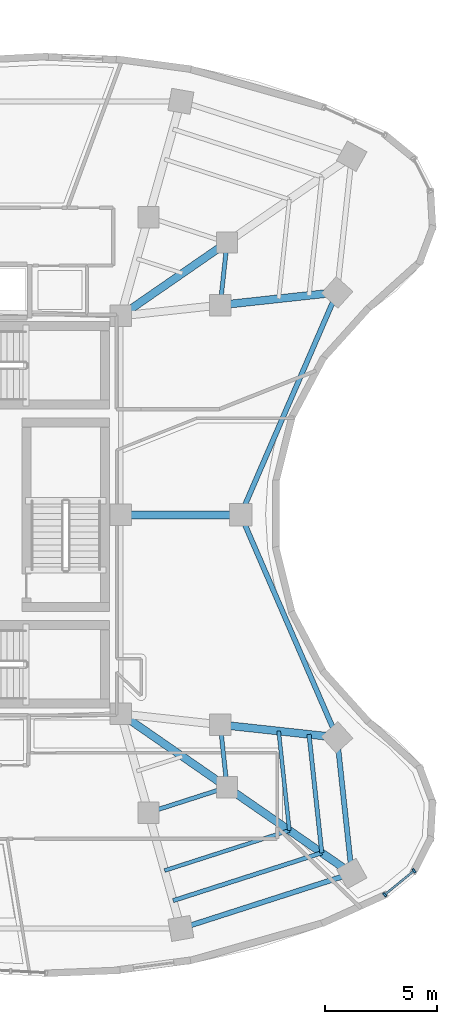
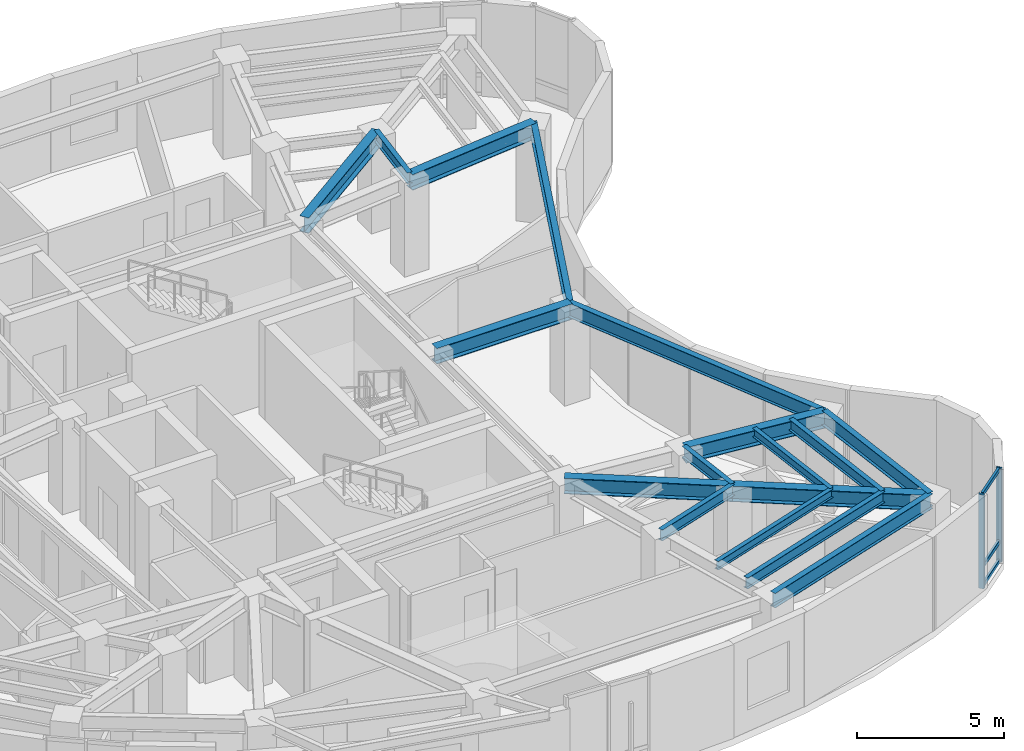
# One storey, part 4 of 13: 17 beams, 5 members, 1 element without a shape of its own.
"""IFC4 building model written with IfcOpenShell, lengths in metres."""

import ifcopenshell
import ifcopenshell.guid

model = None  # the IFC model being written
_history = None  # IfcOwnerHistory: only IFC2X3 demands one
_inside = {}  # id of a spatial element -> (the spatial element, [elements in it])
_under = {}  # id of a project, library or spatial element -> (it, [spatial elements below it])
_declared = {}  # id of a project -> (the project, [libraries it declares])
_typed = {}  # id of a type object -> (the type object, [elements of that type])
_made_of = {}  # id of a material, layer set ... -> (it, [elements and type objects made of it])


def new_model(schema):
    """Start an empty IFC model of exactly this schema.

    Asked for "IFC4X3", IfcOpenShell would pick the latest addendum, in which some entities
    have other attributes; the version numbers below select the first issue.
    IFC2X3 requires an IfcOwnerHistory on every rooted entity: one is made here for all.
    """
    global model, _history
    if schema == "IFC4X3":
        model = ifcopenshell.file(schema_version=(4, 3, 0, 0))
    else:
        model = ifcopenshell.file(schema=schema)
    _inside.clear()
    _under.clear()
    _declared.clear()
    _typed.clear()
    _made_of.clear()
    _history = None
    if model.schema == "IFC2X3":
        org = make("IfcOrganization", Name="unknown")
        user = make(
            "IfcPersonAndOrganization",
            ThePerson=make("IfcPerson", FamilyName="unknown"),
            TheOrganization=org,
        )
        app = make(
            "IfcApplication",
            ApplicationDeveloper=org,
            Version="unknown",
            ApplicationFullName="unknown",
            ApplicationIdentifier="unknown",
        )
        _history = make(
            "IfcOwnerHistory",
            OwningUser=user,
            OwningApplication=app,
            ChangeAction="ADDED",
            CreationDate=0,
        )
    return model


def make(cls, **values):
    """One entity of the class cls with the attributes given. An attribute that is None is left unset."""
    return model.create_entity(
        cls, **{name: value for name, value in values.items() if value is not None}
    )


def rooted(cls, **values):
    """An entity with a GlobalId (a new one), such as an element, a storey or a relation."""
    return make(cls, GlobalId=ifcopenshell.guid.new(), OwnerHistory=_history, **values)


def si_unit(unit_type, name, prefix=None):
    """IfcSIUnit, for example si_unit("LENGTHUNIT", "METRE", prefix="MILLI")."""
    return make("IfcSIUnit", UnitType=unit_type, Prefix=prefix, Name=name)


def assignment(units):
    """IfcUnitAssignment: the units of a project."""
    return None if units is None else make("IfcUnitAssignment", Units=units)


def point(xyz):
    """IfcCartesianPoint."""
    return None if xyz is None else make("IfcCartesianPoint", Coordinates=xyz)


def direction(xyz):
    """IfcDirection."""
    return None if xyz is None else make("IfcDirection", DirectionRatios=xyz)


def frame(location, z_axis=None, x_axis=None):
    """IfcAxis2Placement3D, a coordinate frame: its origin and axes. An axis left out is left unset."""
    return make(
        "IfcAxis2Placement3D",
        Location=point(location),
        Axis=direction(z_axis),
        RefDirection=direction(x_axis),
    )


def frame_2d(location, x_axis=None):
    """IfcAxis2Placement2D, a coordinate frame in the plane: its origin and x axis."""
    return make(
        "IfcAxis2Placement2D", Location=point(location), RefDirection=direction(x_axis)
    )


def origin():
    """The frame at (0, 0, 0) with its axes left unset."""
    return frame((0.0, 0.0, 0.0))


def origin_2d():
    """The frame at (0, 0) in the plane with its x axis left unset."""
    return frame_2d((0.0, 0.0))


def place(relative_to, where):
    """IfcLocalPlacement: puts the frame where relative to a parent placement (None: the world)."""
    return make(
        "IfcLocalPlacement", PlacementRelTo=relative_to, RelativePlacement=where
    )


def context(
    kind, dimensions, precision=None, world=None, true_north=None, identifier=None
):
    """IfcGeometricRepresentationContext, for example the 3D "Model" context."""
    return make(
        "IfcGeometricRepresentationContext",
        ContextIdentifier=identifier,
        ContextType=kind,
        CoordinateSpaceDimension=dimensions,
        Precision=precision,
        WorldCoordinateSystem=world,
        TrueNorth=true_north,
    )


def subcontext(parent, identifier, kind, view, scale=None):
    """IfcGeometricRepresentationSubContext, for example "Body" below "Model"."""
    return make(
        "IfcGeometricRepresentationSubContext",
        ContextIdentifier=identifier,
        ContextType=kind,
        ParentContext=parent,
        TargetScale=scale,
        TargetView=view,
    )


def project(units=None, contexts=None):
    """IfcProject with its units and contexts."""
    return rooted(
        "IfcProject",
        Name="project",
        RepresentationContexts=contexts,
        UnitsInContext=assignment(units),
    )


def spatial(cls, under=None, at=None, **own):
    """A site, building, storey or space (cls), placed at a placement, below another one or the project."""
    s = rooted(cls, ObjectPlacement=at, **own)
    if under is not None:
        _under.setdefault(under.id(), (under, []))[1].append(s)
    return s


def profile(cls, at=None, kind="AREA", **sizes):
    """A parametric profile (cls). Its sizes go by their IFC names, for example OverallWidth=200.0."""
    return make(cls, ProfileType=kind, Position=at, **sizes)


def rectangle(**sizes):
    """IfcRectangleProfileDef."""
    return profile("IfcRectangleProfileDef", **sizes)


def i_section(**sizes):
    """IfcIShapeProfileDef."""
    return profile("IfcIShapeProfileDef", **sizes)


def extrude(swept, where, along, depth):
    """IfcExtrudedAreaSolid: the profile swept, set in the frame where, extruded along a direction by depth."""
    return make(
        "IfcExtrudedAreaSolid",
        SweptArea=swept,
        Position=where,
        ExtrudedDirection=direction(along),
        Depth=depth,
    )


def shape(context_of_items, identifier, shape_type, items):
    """IfcShapeRepresentation: the items that make up one representation, for example the "Body"."""
    return make(
        "IfcShapeRepresentation",
        ContextOfItems=context_of_items,
        RepresentationIdentifier=identifier,
        RepresentationType=shape_type,
        Items=items,
    )


def material(Name=None, Category=None):
    """IfcMaterial."""
    return make("IfcMaterial", Name=Name, Category=Category)


def layer(
    of_material, thickness, ventilated=None, Name=None, Category=None, Priority=None
):
    """IfcMaterialLayer: one layer of a wall or slab, of a material (None: an air gap)."""
    return make(
        "IfcMaterialLayer",
        Material=of_material,
        LayerThickness=thickness,
        IsVentilated=ventilated,
        Name=Name,
        Category=Category,
        Priority=Priority,
    )


def layer_set(layers, Name=None):
    """IfcMaterialLayerSet."""
    return make("IfcMaterialLayerSet", MaterialLayers=layers, LayerSetName=Name)


def material_profile(
    of_material, cross_section, Name=None, Category=None, Priority=None
):
    """IfcMaterialProfile: a cross section and its material."""
    return make(
        "IfcMaterialProfile",
        Name=Name,
        Material=of_material,
        Profile=cross_section,
        Priority=Priority,
        Category=Category,
    )


def profile_set(profiles, Name=None, composite=None):
    """IfcMaterialProfileSet."""
    return make(
        "IfcMaterialProfileSet",
        Name=Name,
        MaterialProfiles=profiles,
        CompositeProfile=composite,
    )


def made_of(thing, what):
    """Note that an element or type object is made of a material, layer set ...; save() writes the relation."""
    if what is not None:
        _made_of.setdefault(what.id(), (what, []))[1].append(thing)
    return thing


def type_object(cls, material=None, **own):
    """A type object (cls), such as IfcWallType, which elements share."""
    return made_of(rooted(cls, **own), material)


def element(
    cls,
    number,
    at=None,
    inside=None,
    cuts=None,
    type_object=None,
    material=None,
    context=None,
    identifier="Body",
    shape_type=None,
    held_by="IfcProductDefinitionShape",
    body=None,
    shapes=None,
    **own,
):
    """One element of the class cls, such as IfcWall. Its Tag is "e" and its number.

    at: its placement. inside: the storey or other place that contains it. cuts: it is an
    opening in that element (IfcRelVoidsElement). A single representation is given by context,
    identifier, shape_type and body (its items); several are given by shapes. held_by: the class
    of the entity that holds the representations. save() writes the other relations.
    """
    e = rooted(cls, Tag="e%d" % number, ObjectPlacement=at, **own)
    if body is not None:
        shapes = [shape(context, identifier, shape_type, body)]
    if shapes is not None:
        e.Representation = make(held_by, Representations=shapes)
    if inside is not None:
        _inside.setdefault(inside.id(), (inside, []))[1].append(e)
    if cuts is not None:
        rooted(
            "IfcRelVoidsElement", RelatingBuildingElement=cuts, RelatedOpeningElement=e
        )
    if type_object is not None:
        _typed.setdefault(type_object.id(), (type_object, []))[1].append(e)
    return made_of(e, material)


def aggregate(whole, parts):
    """IfcRelAggregates: a whole, such as a stair, and the parts it consists of."""
    return rooted("IfcRelAggregates", RelatingObject=whole, RelatedObjects=parts)


def save(model, path):
    """Write the relations noted so far, then the file.

    IfcRelAggregates (storeys below a building ...), IfcRelContainedInSpatialStructure (elements
    in a storey), IfcRelDefinesByType, IfcRelAssociatesMaterial and IfcRelDeclares: one each for
    every whole, place, type object, material and project.
    """
    for whole, parts in _under.values():
        aggregate(whole, parts)
    for where, things in _inside.values():
        rooted(
            "IfcRelContainedInSpatialStructure",
            RelatedElements=things,
            RelatingStructure=where,
        )
    for kind, things in _typed.values():
        rooted("IfcRelDefinesByType", RelatedObjects=things, RelatingType=kind)
    for what, things in _made_of.values():
        rooted("IfcRelAssociatesMaterial", RelatedObjects=things, RelatingMaterial=what)
    for by, libraries in _declared.values():
        rooted("IfcRelDeclares", RelatingContext=by, RelatedDefinitions=libraries)
    model.write(path)


model = new_model("IFC4")

# Units and contexts
model_context = context("Model", 3, precision=1e-05, world=origin(), true_north=direction((0.0, 1.0)))
body_context = subcontext(model_context, "Body", "Model", "MODEL_VIEW")
ifc_project = project(units=[si_unit("LENGTHUNIT", "METRE"), si_unit("AREAUNIT", "SQUARE_METRE"), si_unit("VOLUMEUNIT", "CUBIC_METRE"), si_unit("PLANEANGLEUNIT", "RADIAN"), si_unit("MASSUNIT", "GRAM", prefix="KILO")], contexts=[model_context])

# Site, building, storey
site_placement = place(None, origin())
site = spatial("IfcSite", under=ifc_project, at=site_placement, CompositionType="ELEMENT")
building_placement = place(site_placement, origin())
building = spatial("IfcBuilding", under=site, at=building_placement, Name="Korentha Bioscience Tower", CompositionType="ELEMENT")
storey_placement = place(building_placement, frame((0.0, 0.0, 187.800048828125)))
storey = spatial("IfcBuildingStorey", under=building, at=storey_placement, Name="L43", CompositionType="ELEMENT", Elevation=187.800048828125)

# Beams
ifc_material_1 = material(Name="Steel S355", Category="steel")
ifc_material_profile_1 = material_profile(ifc_material_1, i_section(OverallWidth=0.18994140625, OverallDepth=0.45703125, WebThickness=0.009033203125, FlangeThickness=0.014404296875, at=origin_2d()), Name="Steel S355")
ifc_profile_set_1 = profile_set([ifc_material_profile_1], Name="Steel S355 (MB-460)")
beam_type_1 = type_object("IfcBeamType", Name="Mid-Ring Tie Girder W460x74", PredefinedType="BEAM", material=ifc_profile_set_1)
beam_1_placement = place(storey_placement, frame((38.77880859375, 13.7587890625, 3.67138671875), z_axis=(0.952000195343, 0.306097415976, 0.0), x_axis=(-0.306097415976, 0.952000195343, 0.0)))
element("IfcBeam", 1, at=beam_1_placement, inside=storey, type_object=beam_type_1, Name="L43 Mid-Ring Tie Girder 12", PredefinedType="BEAM", context=body_context, shape_type="SweptSolid", body=[
    extrude(i_section(OverallWidth=0.18994140625, OverallDepth=0.45703125, WebThickness=0.009033203125, FlangeThickness=0.014404296875, at=origin_2d()), origin(), (0.0, 0.0, 1.0), 3.672119140625),
])
for number, where, z_axis, x_axis, name in (
    (2, (42.274658203125, 14.8828125, 3.67138671875), (-0.107283940056, 0.99422842255, 0.0), (-0.99422842255, -0.107283940056, 0.0), "L43 Mid-Ring Tie Girder 13"),
    (3, (41.97412109375, 36.33203125, 3.67138671875), (0.107283940056, 0.99422842255, 0.0), (-0.99422842255, 0.107283940056, 0.0), "L43 Mid-Ring Tie Girder 16"),
):
    element("IfcBeam", number, at=place(storey_placement, frame(where, z_axis=z_axis, x_axis=x_axis)), inside=storey, type_object=beam_type_1, Name=name, PredefinedType="BEAM", context=body_context, shape_type="SweptSolid", body=[
        extrude(i_section(OverallWidth=0.18994140625, OverallDepth=0.45703125, WebThickness=0.009033203125, FlangeThickness=0.014404296875, at=origin_2d()), origin(), (0.0, 0.0, 1.0), 2.80126953125),
    ])

# Curtain wall, members
ifc_material_2 = material(Name="Thermally Broken Aluminium Frame", Category="aluminium")
ifc_layer = layer(ifc_material_2, 0.219970703125, Name="Thermally Broken Aluminium Frame")
ifc_layer_set = layer_set([ifc_layer], Name="Thermally Broken Aluminium Frame (CW-T1)")
curtain_wall_type = type_object("IfcCurtainWallType", Name="Standard Bioscience Lab Unitised Curtain Wall CW-T1", PredefinedType="USERDEFINED", material=ifc_layer_set)
curtain_wall_placement = place(storey_placement, origin())
curtain_wall = element("IfcCurtainWall", 4, at=curtain_wall_placement, inside=storey, type_object=curtain_wall_type, Name="L43 Curtain Wall 37", ObjectType="UNITISED", PredefinedType="USERDEFINED")
ifc_material_3 = material(Name="Anodised Aluminium 6063-T6", Category="aluminium")
ifc_material_profile_2 = material_profile(ifc_material_3, rectangle(XDim=0.090087890625, YDim=0.199951171875, at=origin_2d()), Name="Anodised Aluminium 6063-T6")
ifc_profile_set_2 = profile_set([ifc_material_profile_2], Name="Anodised Aluminium 6063-T6 (CW-MUL)")
member_type_1 = type_object("IfcMemberType", Name="Mullion RECT 90x200", PredefinedType="MULLION", material=ifc_profile_set_2)
member_1_placement = place(storey_placement, frame((49.28759765625, 10.105224609375, 0.0), z_axis=(0.0, 0.0, 1.0), x_axis=(0.77425646139, 0.632871971251, 0.0)))
member_1 = element("IfcMember", 5, at=member_1_placement, type_object=member_type_1, Name="CW-L43-37 Mullion 1", PredefinedType="MULLION", context=body_context, shape_type="SweptSolid", body=[
    extrude(rectangle(XDim=0.090087890625, YDim=0.199951171875, at=origin_2d()), origin(), (0.0, 0.0, 1.0), 3.89990234375),
])
member_2_placement = place(storey_placement, frame((50.58984375, 11.169677734375, 0.0), z_axis=(0.0, 0.0, 1.0), x_axis=(0.77425646139, 0.632871971251, 0.0)))
member_2 = element("IfcMember", 6, at=member_2_placement, type_object=member_type_1, Name="CW-L43-37 Mullion 2", PredefinedType="MULLION", context=body_context, shape_type="SweptSolid", body=[
    extrude(rectangle(XDim=0.090087890625, YDim=0.199951171875, at=origin_2d()), origin(), (0.0, 0.0, 1.0), 3.89990234375),
])

# Beams
ifc_material_profile_3 = material_profile(ifc_material_1, i_section(OverallWidth=0.22802734375, OverallDepth=0.60791015625, WebThickness=0.01123046875, FlangeThickness=0.017333984375, at=origin_2d()), Name="Steel S355")
ifc_profile_set_3 = profile_set([ifc_material_profile_3], Name="Steel S355 (SB-610)")
beam_type_2 = type_object("IfcBeamType", Name="Perimeter Ring Spandrel Girder W610x113", PredefinedType="SPANDREL", material=ifc_profile_set_3)
beam_2_placement = place(storey_placement, frame((40.22119140625, 8.60400390625, 3.595947265625), z_axis=(0.952008512555, 0.306071547228, 0.0), x_axis=(-0.306071547228, 0.952008512555, 0.0)))
element("IfcBeam", 7, at=beam_2_placement, inside=storey, type_object=beam_type_2, Name="L43 Perimeter Spandrel Girder 12", PredefinedType="SPANDREL", context=body_context, shape_type="SweptSolid", body=[
    extrude(i_section(OverallWidth=0.22802734375, OverallDepth=0.60791015625, WebThickness=0.01123046875, FlangeThickness=0.017333984375, at=origin_2d()), origin(), (0.0, 0.0, 1.0), 7.98291015625),
])
beam_3_placement = place(storey_placement, frame((47.821044921875, 11.04736328125, 3.595947265625), z_axis=(-0.10732012232, 0.994224517574, 0.0), x_axis=(-0.994224517574, -0.10732012232, 0.0)))
element("IfcBeam", 8, at=beam_3_placement, inside=storey, type_object=beam_type_2, Name="L43 Perimeter Spandrel Girder 13", PredefinedType="SPANDREL", context=body_context, shape_type="SweptSolid", body=[
    extrude(i_section(OverallWidth=0.22802734375, OverallDepth=0.60791015625, WebThickness=0.01123046875, FlangeThickness=0.017333984375, at=origin_2d()), origin(), (0.0, 0.0, 1.0), 6.08984375),
])
for number, where, z_axis, x_axis, name in (
    (9, (47.16748046875, 17.10205078125, 3.595947265625), (-0.397336815315, 0.917672847585, 0.0), (-0.917672847585, -0.397336815315, 0.0), "L43 Perimeter Spandrel Girder 14"),
    (10, (42.8818359375, 27.0, 3.595947265625), (0.397336815315, 0.917672847585, 0.0), (-0.917672847585, 0.397336815315, 0.0), "L43 Perimeter Spandrel Girder 15"),
):
    element("IfcBeam", number, at=place(storey_placement, frame(where, z_axis=z_axis, x_axis=x_axis)), inside=storey, type_object=beam_type_2, Name=name, PredefinedType="SPANDREL", context=body_context, shape_type="SweptSolid", body=[
        extrude(i_section(OverallWidth=0.22802734375, OverallDepth=0.60791015625, WebThickness=0.01123046875, FlangeThickness=0.017333984375, at=origin_2d()), origin(), (0.0, 0.0, 1.0), 10.785888671875),
    ])
ifc_material_profile_4 = material_profile(ifc_material_1, i_section(OverallWidth=0.18994140625, OverallDepth=0.45703125, WebThickness=0.009033203125, FlangeThickness=0.014404296875, at=origin_2d()), Name="Steel S355")
ifc_profile_set_4 = profile_set([ifc_material_profile_4], Name="Steel S355 (RB-460)")
beam_type_3 = type_object("IfcBeamType", Name="Radial Laboratory Beam W460x74", PredefinedType="BEAM", material=ifc_profile_set_4)
beam_4_placement = place(storey_placement, frame((39.875, 9.84130859375, 3.67138671875), z_axis=(0.952009183817, 0.306069459318, 0.0), x_axis=(-0.306069459318, 0.952009183817, 0.0)))
element("IfcBeam", 11, at=beam_4_placement, inside=storey, type_object=beam_type_3, Name="L43 Secondary Floor Beam JSTO-12", PredefinedType="BEAM", context=body_context, shape_type="SweptSolid", body=[
    extrude(i_section(OverallWidth=0.18994140625, OverallDepth=0.45703125, WebThickness=0.009033203125, FlangeThickness=0.014404296875, at=origin_2d()), origin(), (0.0, 0.0, 1.0), 6.948486328125),
])
beam_5_placement = place(storey_placement, frame((46.489990234375, 11.968017578125, 3.67138671875), z_axis=(-0.107321875607, 0.994224328316, 0.0), x_axis=(-0.994224328316, -0.107321875607, 0.0)))
element("IfcBeam", 12, at=beam_5_placement, inside=storey, type_object=beam_type_3, Name="L43 Secondary Floor Beam JSTO-13", PredefinedType="BEAM", context=body_context, shape_type="SweptSolid", body=[
    extrude(i_section(OverallWidth=0.18994140625, OverallDepth=0.45703125, WebThickness=0.009033203125, FlangeThickness=0.014404296875, at=origin_2d()), origin(), (0.0, 0.0, 1.0), 5.30029296875),
])
ifc_material_profile_5 = material_profile(ifc_material_1, i_section(OverallWidth=0.35009765625, OverallDepth=0.64990234375, WebThickness=0.01611328125, FlangeThickness=0.02490234375, at=origin_2d()), Name="Steel S355")
ifc_profile_set_5 = profile_set([ifc_material_profile_5], Name="Steel S355 (RB-650)")
beam_type_4 = type_object("IfcBeamType", Name="Radial Laboratory Girder CVS 650x208", PredefinedType="BEAM", material=ifc_profile_set_5)
for number, where, z_axis, x_axis, name in (
    (13, (37.550048828125, 35.85009765625, 3.574951171875), (0.822501145898, 0.568763452584, 0.0), (-0.568763452584, 0.822501145898, 0.0), "L43 Inner Radial Girder 01"),
    (14, (37.550048828125, 18.14990234375, 3.574951171875), (0.822501145898, -0.568763452584, 0.0), (0.568763452584, 0.822501145898, 0.0), "L43 Inner Radial Girder 13"),
):
    element("IfcBeam", number, at=place(storey_placement, frame(where, z_axis=z_axis, x_axis=x_axis)), inside=storey, type_object=beam_type_4, Name=name, PredefinedType="BEAM", context=body_context, shape_type="SweptSolid", body=[
        extrude(i_section(OverallWidth=0.35009765625, OverallDepth=0.64990234375, WebThickness=0.01611328125, FlangeThickness=0.02490234375, at=origin_2d()), origin(), (0.0, 0.0, 1.0), 5.744140625),
    ])
beam_6_placement = place(storey_placement, frame((42.274658203125, 14.8828125, 3.574951171875), z_axis=(0.822494455845, -0.568773127094, 0.0), x_axis=(0.568773127094, 0.822494455845, 0.0)))
element("IfcBeam", 15, at=beam_6_placement, inside=storey, type_object=beam_type_4, Name="L43 Outer Radial Girder 13", PredefinedType="BEAM", context=body_context, shape_type="SweptSolid", body=[
    extrude(i_section(OverallWidth=0.35009765625, OverallDepth=0.64990234375, WebThickness=0.01611328125, FlangeThickness=0.02490234375, at=origin_2d()), origin(), (0.0, 0.0, 1.0), 6.743408203125),
])
beam_7_placement = place(storey_placement, frame((41.97412109375, 17.66796875, 3.574951171875), z_axis=(0.994115177281, -0.108328271011, 0.0), x_axis=(0.108328271011, 0.994115177281, 0.0)))
element("IfcBeam", 16, at=beam_7_placement, inside=storey, type_object=beam_type_4, Name="L43 Outer Radial Girder 14", PredefinedType="BEAM", context=body_context, shape_type="SweptSolid", body=[
    extrude(i_section(OverallWidth=0.35009765625, OverallDepth=0.64990234375, WebThickness=0.01611328125, FlangeThickness=0.02490234375, at=origin_2d()), origin(), (0.0, 0.0, 1.0), 5.22412109375),
])
beam_8_placement = place(storey_placement, frame((37.550048828125, 27.0, 3.574951171875), z_axis=(1.0, 0.0, 0.0), x_axis=(0.0, 1.0, 0.0)))
element("IfcBeam", 17, at=beam_8_placement, inside=storey, type_object=beam_type_4, Name="L43 Radial Girder 15", PredefinedType="BEAM", context=body_context, shape_type="SweptSolid", body=[
    extrude(i_section(OverallWidth=0.35009765625, OverallDepth=0.64990234375, WebThickness=0.01611328125, FlangeThickness=0.02490234375, at=origin_2d()), origin(), (0.0, 0.0, 1.0), 5.331787109375),
])
beam_9_placement = place(storey_placement, frame((41.97412109375, 36.33203125, 3.574951171875), z_axis=(0.994115177281, 0.108328271011, 0.0), x_axis=(-0.108328271011, 0.994115177281, 0.0)))
element("IfcBeam", 18, at=beam_9_placement, inside=storey, type_object=beam_type_4, Name="L43 Outer Radial Girder 16", PredefinedType="BEAM", context=body_context, shape_type="SweptSolid", body=[
    extrude(i_section(OverallWidth=0.35009765625, OverallDepth=0.64990234375, WebThickness=0.01611328125, FlangeThickness=0.02490234375, at=origin_2d()), origin(), (0.0, 0.0, 1.0), 5.22412109375),
])
ifc_material_profile_6 = material_profile(ifc_material_1, i_section(OverallWidth=0.1708984375, OverallDepth=0.35498046875, WebThickness=0.007080078125, FlangeThickness=0.01171875, at=origin_2d()), Name="Steel S355")
ifc_profile_set_6 = profile_set([ifc_material_profile_6], Name="Steel S355 (JB-360)")
beam_type_5 = type_object("IfcBeamType", Name="Secondary Laboratory Joist W360x51", PredefinedType="JOIST", material=ifc_profile_set_6)
beam_10_placement = place(storey_placement, frame((39.5, 11.181396484375, 3.722412109375), z_axis=(0.952005892166, 0.306079697596, 0.0), x_axis=(-0.306079697596, 0.952005892166, 0.0)))
element("IfcBeam", 19, at=beam_10_placement, inside=storey, type_object=beam_type_5, Name="L43 Secondary Floor Beam JST-12", PredefinedType="JOIST", context=body_context, shape_type="SweptSolid", body=[
    extrude(i_section(OverallWidth=0.1708984375, OverallDepth=0.35498046875, WebThickness=0.007080078125, FlangeThickness=0.01171875, at=origin_2d()), origin(), (0.0, 0.0, 1.0), 5.82763671875),
])
beam_11_placement = place(storey_placement, frame((45.0478515625, 12.965087890625, 3.722412109375), z_axis=(-0.107308722475, 0.994225748048, 0.0), x_axis=(-0.994225748048, -0.107308722475, 0.0)))
element("IfcBeam", 20, at=beam_11_placement, inside=storey, type_object=beam_type_5, Name="L43 Secondary Floor Beam JST-13", PredefinedType="JOIST", context=body_context, shape_type="SweptSolid", body=[
    extrude(i_section(OverallWidth=0.1708984375, OverallDepth=0.35498046875, WebThickness=0.007080078125, FlangeThickness=0.01171875, at=origin_2d()), origin(), (0.0, 0.0, 1.0), 4.445556640625),
])

# Member
ifc_material_profile_7 = material_profile(ifc_material_3, rectangle(XDim=0.090087890625, YDim=0.159912109375, at=origin_2d()), Name="Anodised Aluminium 6063-T6")
ifc_profile_set_7 = profile_set([ifc_material_profile_7], Name="Anodised Aluminium 6063-T6 (CW-TRN)")
member_type_2 = type_object("IfcMemberType", Name="Transom RECT 90x160", PredefinedType="USERDEFINED", material=ifc_profile_set_7)
member_3_placement = place(storey_placement, frame((49.322509765625, 10.1337890625, 0.044921875), z_axis=(0.77427156069, 0.632853498297, 0.0), x_axis=(-0.632853498297, 0.77427156069, 0.0)))
member_3 = element("IfcMember", 21, at=member_3_placement, type_object=member_type_2, Name="CW-L43-37 Bay 1 Transom 1", ObjectType="TRANSOM", PredefinedType="USERDEFINED", context=body_context, shape_type="SweptSolid", body=[
    extrude(rectangle(XDim=0.090087890625, YDim=0.159912109375, at=origin_2d()), origin(), (0.0, 0.0, 1.0), 1.591796875),
])

member_4_placement = place(storey_placement, frame((49.322509765625, 10.1337890625, 0.849853515625), z_axis=(0.77427156069, 0.632853498297, 0.0), x_axis=(-0.632853498297, 0.77427156069, 0.0)))
member_4 = element("IfcMember", 22, at=member_4_placement, type_object=member_type_2, Name="CW-L43-37 Bay 1 Transom 2", ObjectType="TRANSOM", PredefinedType="USERDEFINED", context=body_context, shape_type="SweptSolid", body=[
    extrude(rectangle(XDim=0.090087890625, YDim=0.159912109375, at=origin_2d()), origin(), (0.0, 0.0, 1.0), 1.591796875),
])

member_5_placement = place(storey_placement, frame((49.322509765625, 10.1337890625, 3.85498046875), z_axis=(0.77427156069, 0.632853498297, 0.0), x_axis=(-0.632853498297, 0.77427156069, 0.0)))
member_5 = element("IfcMember", 23, at=member_5_placement, type_object=member_type_2, Name="CW-L43-37 Bay 1 Transom 3", ObjectType="TRANSOM", PredefinedType="USERDEFINED", context=body_context, shape_type="SweptSolid", body=[
    extrude(rectangle(XDim=0.090087890625, YDim=0.159912109375, at=origin_2d()), origin(), (0.0, 0.0, 1.0), 1.591796875),
])

aggregate(curtain_wall, [member_1, member_2, member_3, member_4, member_5])

save(model, "model.ifc")
